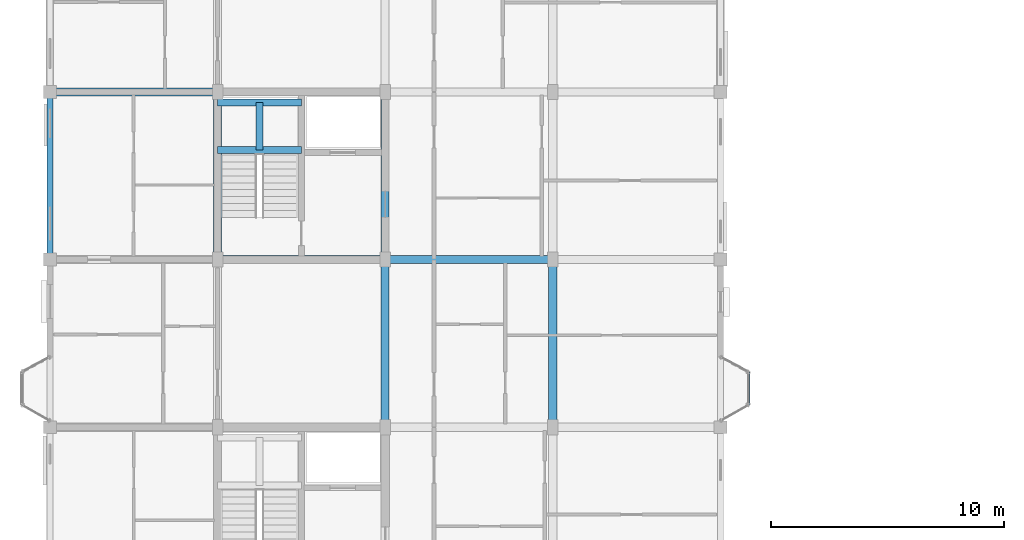
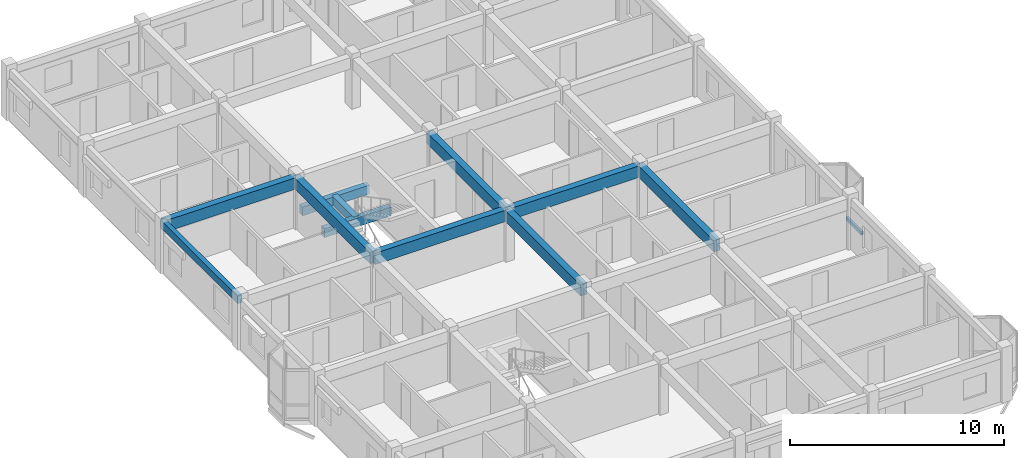
# One storey, part 10 of 77: 11 beams, 1 member.
"""IFC4 building model written with IfcOpenShell, lengths in metres."""

from ifc_helpers import new_model, si_unit, direction, frame, origin, origin_2d, place, context, subcontext, project, spatial, rectangle, hollow_rectangle, extrude, material, material_profile, profile_set, type_object, element, save


model = new_model("IFC4")

# Units and contexts
model_context = context("Model", 3, precision=1e-05, world=origin(), true_north=direction((0.0, 1.0)))
body_context = subcontext(model_context, "Body", "Model", "MODEL_VIEW")
ifc_project = project(units=[si_unit("LENGTHUNIT", "METRE"), si_unit("AREAUNIT", "SQUARE_METRE"), si_unit("VOLUMEUNIT", "CUBIC_METRE"), si_unit("PLANEANGLEUNIT", "RADIAN"), si_unit("MASSUNIT", "GRAM", prefix="KILO"), si_unit("THERMODYNAMICTEMPERATUREUNIT", "KELVIN"), si_unit("POWERUNIT", "WATT")], contexts=[model_context])

# Site, building, storey
site_placement = place(None, origin())
site = spatial("IfcSite", under=ifc_project, at=site_placement, CompositionType="ELEMENT")
building_placement = place(site_placement, origin())
building = spatial("IfcBuilding", under=site, at=building_placement, Name="Tavuni Mirador Residences", CompositionType="ELEMENT")
storey_placement = place(building_placement, frame((0.0, 0.0, 10.800048828125)))
storey = spatial("IfcBuildingStorey", under=building, at=storey_placement, Name="L03", CompositionType="ELEMENT", Elevation=10.800048828125)

# Beams
ifc_material_1 = material(Name="Precast concrete C40/50", Category="concrete")
ifc_material_profile_1 = material_profile(ifc_material_1, rectangle(XDim=0.300048828125, YDim=0.5, at=origin_2d()), Name="PC 300x500", Category="concrete")
ifc_profile_set_1 = profile_set([ifc_material_profile_1], Name="Precast concrete C40/50")
beam_type_1 = type_object("IfcBeamType", Name="BT-B500", PredefinedType="BEAM", material=ifc_profile_set_1)
for number, where, z_axis, x_axis, name in (
    (1, (10.800048828125, 33.5, 1.14501953125), (1.0, 0.0, 0.0), (0.0, 1.0, 0.0), "HLB1-C2-L03"),
    (2, (10.800048828125, 35.550048828125, 1.14501953125), (1.0, 0.0, 0.0), (0.0, 1.0, 0.0), "HLB2-C2-L03"),
):
    element("IfcBeam", number, at=place(storey_placement, frame(where, z_axis=z_axis, x_axis=x_axis)), inside=storey, type_object=beam_type_1, Name=name, PredefinedType="BEAM", context=body_context, shape_type="SweptSolid", body=[
        extrude(rectangle(XDim=0.300048828125, YDim=0.5, at=origin_2d()), origin(), (0.0, 0.0, 1.0), 3.599853515625),
    ])
beam_1_placement = place(storey_placement, frame((12.60009765625, 33.5, 1.14501953125), z_axis=(0.0, 1.0, 0.0), x_axis=(-1.0, 0.0, 0.0)))
element("IfcBeam", 3, at=beam_1_placement, inside=storey, type_object=beam_type_1, Name="HLB3-C2-L03", PredefinedType="BEAM", context=body_context, shape_type="SweptSolid", body=[
    extrude(rectangle(XDim=0.300048828125, YDim=0.5, at=origin_2d()), origin(), (0.0, 0.0, 1.0), 2.050048828125),
])
ifc_material_profile_2 = material_profile(ifc_material_1, rectangle(XDim=0.35009765625, YDim=0.64990234375, at=origin_2d()), Name="PC 350x650", Category="concrete")
ifc_profile_set_2 = profile_set([ifc_material_profile_2], Name="Precast concrete C40/50")
beam_type_2 = type_object("IfcBeamType", Name="BT-B650", PredefinedType="BEAM", material=ifc_profile_set_2)
for number, where, z_axis, x_axis, name in (
    (4, (10.800048828125, 28.800048828125, 2.544921875), (1.0, 0.0, 0.0), (0.0, 1.0, 0.0), "BMX-BLK-A-L03-01-03"),
    (5, (18.0, 28.800048828125, 2.544921875), (1.0, 0.0, 0.0), (0.0, 1.0, 0.0), "BMX-BLK-A-L03-02-03"),
    (6, (3.60009765625, 36.0, 2.544921875), (1.0, 0.0, 0.0), (0.0, 1.0, 0.0), "BMX-BLK-A-L03-00-04"),
    (7, (10.800048828125, 28.800048828125, 2.544921875), (0.0, 1.0, 0.0), (-1.0, 0.0, 0.0), "BMY-BLK-A-L03-01-03"),
    (8, (18.0, 21.60009765625, 2.544921875), (0.0, 1.0, 0.0), (-1.0, 0.0, 0.0), "BMY-BLK-A-L03-02-02"),
    (9, (18.0, 28.800048828125, 2.544921875), (0.0, 1.0, 0.0), (-1.0, 0.0, 0.0), "BMY-BLK-A-L03-02-03"),
    (10, (25.199951171875, 21.60009765625, 2.544921875), (0.0, 1.0, 0.0), (-1.0, 0.0, 0.0), "BMY-BLK-A-L03-03-02"),
):
    element("IfcBeam", number, at=place(storey_placement, frame(where, z_axis=z_axis, x_axis=x_axis)), inside=storey, type_object=beam_type_2, Name=name, PredefinedType="BEAM", context=body_context, shape_type="SweptSolid", body=[
        extrude(rectangle(XDim=0.35009765625, YDim=0.64990234375, at=origin_2d()), origin(), (0.0, 0.0, 1.0), 7.199951171875),
    ])
ifc_material_profile_3 = material_profile(ifc_material_1, rectangle(XDim=0.25, YDim=0.419921875, at=origin_2d()), Name="PC 250x420", Category="concrete")
ifc_profile_set_3 = profile_set([ifc_material_profile_3], Name="Precast concrete C40/50")
beam_type_3 = type_object("IfcBeamType", Name="BT-SP420", PredefinedType="SPANDREL", material=ifc_profile_set_3)
beam_2_placement = place(storey_placement, frame((3.60009765625, 28.800048828125, 2.659912109375), z_axis=(0.0, 1.0, 0.0), x_axis=(-1.0, 0.0, 0.0)))
element("IfcBeam", 11, at=beam_2_placement, inside=storey, type_object=beam_type_3, Name="BMY-BLK-A-L03-00-03", PredefinedType="SPANDREL", context=body_context, shape_type="SweptSolid", body=[
    extrude(rectangle(XDim=0.25, YDim=0.419921875, at=origin_2d()), origin(), (0.0, 0.0, 1.0), 7.199951171875),
])

# Member
ifc_material_2 = material(Name="Structural steel S355", Category="steel")
ifc_material_profile_4 = material_profile(ifc_material_2, hollow_rectangle(XDim=0.1201171875, YDim=0.199951171875, WallThickness=0.010009765625, at=origin_2d()), Name="RHS 200x120x10.0", Category="steel")
ifc_profile_set_4 = profile_set([ifc_material_profile_4], Name="Structural steel S355")
member_type = type_object("IfcMemberType", Name="MT-ST-RHS200", PredefinedType="STRUT", material=ifc_profile_set_4)
member_placement = place(storey_placement, frame((33.60009765625, 22.56005859375, -0.280029296875), z_axis=(0.0, 1.0, 0.0), x_axis=(-1.0, 0.0, 0.0)))
element("IfcMember", 12, at=member_placement, inside=storey, type_object=member_type, Name="MRIM-MIR-A-E2-L03", PredefinedType="STRUT", context=body_context, shape_type="SweptSolid", body=[
    extrude(hollow_rectangle(XDim=0.1201171875, YDim=0.199951171875, WallThickness=0.010009765625, at=origin_2d()), origin(), (0.0, 0.0, 1.0), 1.419921875),
])

save(model, "model.ifc")
